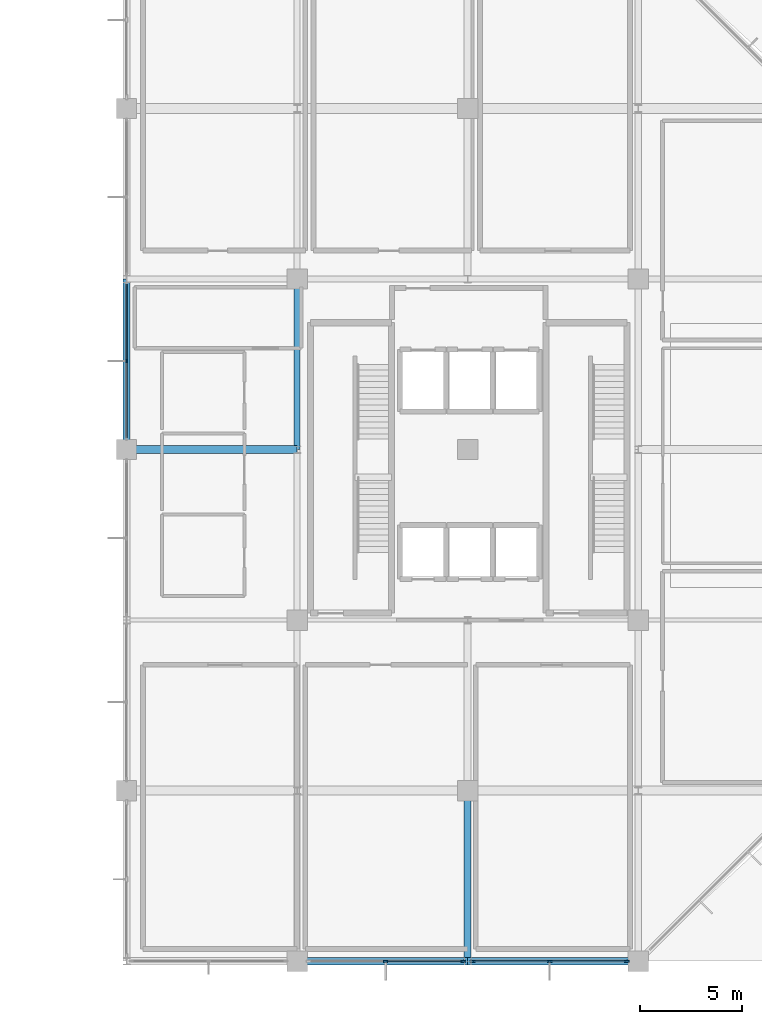
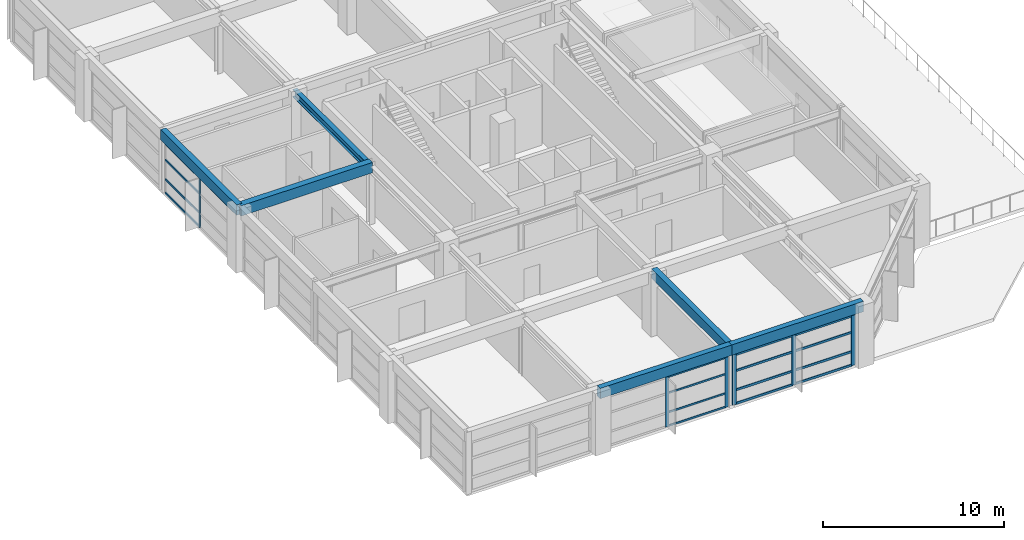
# One storey, part 7 of 21: 23 members, 6 beams, 3 elements without a shape of their own.
"""IFC4 building model written with IfcOpenShell, lengths in metres."""

from ifc_helpers import new_model, si_unit, direction, frame, origin, origin_2d, place, context, subcontext, project, spatial, rectangle, i_section, extrude, material, material_profile, profile_set, type_object, element, aggregate, save


model = new_model("IFC4")

# Units and contexts
model_context = context("Model", 3, precision=1e-05, world=origin(), true_north=direction((0.0, 1.0)))
body_context = subcontext(model_context, "Body", "Model", "MODEL_VIEW")
ifc_project = project(units=[si_unit("LENGTHUNIT", "METRE"), si_unit("AREAUNIT", "SQUARE_METRE"), si_unit("VOLUMEUNIT", "CUBIC_METRE"), si_unit("PLANEANGLEUNIT", "RADIAN"), si_unit("MASSUNIT", "GRAM", prefix="KILO")], contexts=[model_context])

# Site, building, storey
site_placement = place(None, origin())
site = spatial("IfcSite", under=ifc_project, at=site_placement, CompositionType="ELEMENT")
building_placement = place(site_placement, origin())
building = spatial("IfcBuilding", under=site, at=building_placement, Name="Xuanlan Plaza Opera House", CompositionType="ELEMENT")
storey_placement = place(building_placement, frame((0.0, 0.0, 44.699951171875)))
storey = spatial("IfcBuildingStorey", under=building, at=storey_placement, Name="L10", CompositionType="ELEMENT", Elevation=44.699951171875)

# Curtain wall, member
ifc_material_1 = material(Name="Anodised Aluminium 6063-T6 and Low-E Glass", Category="aluminium")
curtain_wall_type_1 = type_object("IfcCurtainWallType", Name="ENV-CW-CW-03", PredefinedType="USERDEFINED", material=ifc_material_1)
curtain_wall_1_placement = place(storey_placement, origin())
curtain_wall_1 = element("IfcCurtainWall", 1, at=curtain_wall_1_placement, inside=storey, type_object=curtain_wall_type_1, Name="Unitised Curtain Wall L10-015", ObjectType="UNITISED CURTAIN WALL", PredefinedType="USERDEFINED")
ifc_material_2 = material(Name="Anodised Aluminium 6063-T6", Category="aluminium")
ifc_material_profile_1 = material_profile(ifc_material_2, rectangle(XDim=0.070068359375, YDim=0.179931640625, at=origin_2d()), Name="ALU-M 70x180")
ifc_profile_set_1 = profile_set([ifc_material_profile_1], Name="Anodised Aluminium 6063-T6")
member_type_1 = type_object("IfcMemberType", Name="ENV-CWM-02", PredefinedType="MULLION", material=ifc_profile_set_1)
member_1_placement = place(storey_placement, frame((126.0, 63.16259765625, 0.0), z_axis=(0.0, 0.0, 1.0), x_axis=(1.0, 0.0, 0.0)))
member_1 = element("IfcMember", 2, at=member_1_placement, type_object=member_type_1, Name="CW-03 mullion 2", PredefinedType="MULLION", context=body_context, shape_type="SweptSolid", body=[
    extrude(rectangle(XDim=0.070068359375, YDim=0.179931640625, at=origin_2d()), origin(), (0.0, 0.0, 1.0), 3.380126953125),
])

# Curtain wall, members
curtain_wall_type_2 = type_object("IfcCurtainWallType", Name="ENV-CW-CW-02", PredefinedType="USERDEFINED", material=ifc_material_1)
curtain_wall_2_placement = place(storey_placement, origin())
curtain_wall_2 = element("IfcCurtainWall", 3, at=curtain_wall_2_placement, inside=storey, type_object=curtain_wall_type_2, Name="Unitised Curtain Wall L10-002", ObjectType="UNITISED CURTAIN WALL", PredefinedType="USERDEFINED")
ifc_material_profile_2 = material_profile(ifc_material_2, rectangle(XDim=0.080078125, YDim=0.219970703125, at=origin_2d()), Name="ALU-M 80x220")
ifc_profile_set_2 = profile_set([ifc_material_profile_2], Name="Anodised Aluminium 6063-T6")
member_type_2 = type_object("IfcMemberType", Name="ENV-CWM-04", PredefinedType="MULLION", material=ifc_profile_set_2)
member_2_placement = place(storey_placement, frame((138.762451171875, 33.60009765625, 0.0), z_axis=(0.0, 0.0, 1.0), x_axis=(0.0, 1.0, 0.0)))
member_2 = element("IfcMember", 4, at=member_2_placement, type_object=member_type_2, Name="CW-02 mullion 2", PredefinedType="MULLION", context=body_context, shape_type="SweptSolid", body=[
    extrude(rectangle(XDim=0.080078125, YDim=0.219970703125, at=origin_2d()), origin(), (0.0, 0.0, 1.0), 3.380126953125),
])
member_3_placement = place(storey_placement, frame((142.56494140625, 33.60009765625, 0.0), z_axis=(0.0, 0.0, 1.0), x_axis=(0.0, 1.0, 0.0)))
member_3 = element("IfcMember", 5, at=member_3_placement, type_object=member_type_2, Name="CW-02 mullion 3", PredefinedType="MULLION", context=body_context, shape_type="SweptSolid", body=[
    extrude(rectangle(XDim=0.080078125, YDim=0.219970703125, at=origin_2d()), origin(), (0.0, 0.0, 1.0), 3.380126953125),
])

curtain_wall_3_placement = place(storey_placement, origin())
curtain_wall_3 = element("IfcCurtainWall", 6, at=curtain_wall_3_placement, inside=storey, type_object=curtain_wall_type_1, Name="Unitised Curtain Wall L10-003", ObjectType="UNITISED CURTAIN WALL", PredefinedType="USERDEFINED")
ifc_material_profile_3 = material_profile(ifc_material_2, rectangle(XDim=0.090087890625, YDim=0.25, at=origin_2d()), Name="ALU-M 90x250")
ifc_profile_set_3 = profile_set([ifc_material_profile_3], Name="Anodised Aluminium 6063-T6")
member_type_3 = type_object("IfcMemberType", Name="ENV-CWM-05", PredefinedType="MULLION", material=ifc_profile_set_3)
member_4_placement = place(storey_placement, frame((143.0400390625, 33.60009765625, 0.0), z_axis=(0.0, 0.0, 1.0), x_axis=(0.0, 1.0, 0.0)))
member_4 = element("IfcMember", 7, at=member_4_placement, type_object=member_type_3, Name="CW-03 mullion 1", PredefinedType="MULLION", context=body_context, shape_type="SweptSolid", body=[
    extrude(rectangle(XDim=0.090087890625, YDim=0.25, at=origin_2d()), origin(), (0.0, 0.0, 1.0), 3.380126953125),
])
member_5_placement = place(storey_placement, frame((146.83740234375, 33.60009765625, 0.0), z_axis=(0.0, 0.0, 1.0), x_axis=(0.0, 1.0, 0.0)))
member_5 = element("IfcMember", 8, at=member_5_placement, type_object=member_type_3, Name="CW-03 mullion 2", PredefinedType="MULLION", context=body_context, shape_type="SweptSolid", body=[
    extrude(rectangle(XDim=0.090087890625, YDim=0.25, at=origin_2d()), origin(), (0.0, 0.0, 1.0), 3.380126953125),
])
member_6_placement = place(storey_placement, frame((150.635009765625, 33.60009765625, 0.0), z_axis=(0.0, 0.0, 1.0), x_axis=(0.0, 1.0, 0.0)))
member_6 = element("IfcMember", 9, at=member_6_placement, type_object=member_type_3, Name="CW-03 mullion 3", PredefinedType="MULLION", context=body_context, shape_type="SweptSolid", body=[
    extrude(rectangle(XDim=0.090087890625, YDim=0.25, at=origin_2d()), origin(), (0.0, 0.0, 1.0), 3.380126953125),
])

# Member
ifc_material_profile_4 = material_profile(ifc_material_2, rectangle(XDim=0.06494140625, YDim=0.1201171875, at=origin_2d()), Name="ALU-T 65x120")
ifc_profile_set_4 = profile_set([ifc_material_profile_4], Name="Anodised Aluminium 6063-T6")
member_type_4 = type_object("IfcMemberType", Name="ENV-CWT-01", PredefinedType="USERDEFINED", material=ifc_profile_set_4)
member_7_placement = place(storey_placement, frame((138.802490234375, 33.60009765625, 0.032470703125), z_axis=(1.0, 0.0, 0.0), x_axis=(0.0, 1.0, 0.0)))
member_7 = element("IfcMember", 10, at=member_7_placement, type_object=member_type_4, Name="CW-02 transom 2.1", ObjectType="TRANSOM", PredefinedType="USERDEFINED", context=body_context, shape_type="SweptSolid", body=[
    extrude(rectangle(XDim=0.06494140625, YDim=0.1201171875, at=origin_2d()), origin(), (0.0, 0.0, 1.0), 3.722412109375),
])

member_8_placement = place(storey_placement, frame((138.802490234375, 33.60009765625, 0.949951171875), z_axis=(1.0, 0.0, 0.0), x_axis=(0.0, 1.0, 0.0)))
member_8 = element("IfcMember", 11, at=member_8_placement, type_object=member_type_4, Name="CW-02 transom 2.2", ObjectType="TRANSOM", PredefinedType="USERDEFINED", context=body_context, shape_type="SweptSolid", body=[
    extrude(rectangle(XDim=0.06494140625, YDim=0.1201171875, at=origin_2d()), origin(), (0.0, 0.0, 1.0), 3.722412109375),
])

member_9_placement = place(storey_placement, frame((138.802490234375, 33.60009765625, 2.25), z_axis=(1.0, 0.0, 0.0), x_axis=(0.0, 1.0, 0.0)))
member_9 = element("IfcMember", 12, at=member_9_placement, type_object=member_type_4, Name="CW-02 transom 2.3", ObjectType="TRANSOM", PredefinedType="USERDEFINED", context=body_context, shape_type="SweptSolid", body=[
    extrude(rectangle(XDim=0.06494140625, YDim=0.1201171875, at=origin_2d()), origin(), (0.0, 0.0, 1.0), 3.722412109375),
])

member_10_placement = place(storey_placement, frame((138.802490234375, 33.60009765625, 3.34765625), z_axis=(1.0, 0.0, 0.0), x_axis=(0.0, 1.0, 0.0)))
member_10 = element("IfcMember", 13, at=member_10_placement, type_object=member_type_4, Name="CW-02 transom 2.4", ObjectType="TRANSOM", PredefinedType="USERDEFINED", context=body_context, shape_type="SweptSolid", body=[
    extrude(rectangle(XDim=0.06494140625, YDim=0.1201171875, at=origin_2d()), origin(), (0.0, 0.0, 1.0), 3.722412109375),
])

aggregate(curtain_wall_2, [member_2, member_3, member_7, member_8, member_9, member_10])

ifc_material_profile_5 = material_profile(ifc_material_2, rectangle(XDim=0.070068359375, YDim=0.135009765625, at=origin_2d()), Name="ALU-T 70x135")
ifc_profile_set_5 = profile_set([ifc_material_profile_5], Name="Anodised Aluminium 6063-T6")
member_type_5 = type_object("IfcMemberType", Name="ENV-CWT-02", PredefinedType="USERDEFINED", material=ifc_profile_set_5)
member_11_placement = place(storey_placement, frame((126.0, 66.93505859375, 0.03515625), z_axis=(0.0, -1.0, 0.0), x_axis=(1.0, 0.0, 0.0)))
member_11 = element("IfcMember", 14, at=member_11_placement, type_object=member_type_5, Name="CW-03 transom 1.1", ObjectType="TRANSOM", PredefinedType="USERDEFINED", context=body_context, shape_type="SweptSolid", body=[
    extrude(rectangle(XDim=0.070068359375, YDim=0.135009765625, at=origin_2d()), origin(), (0.0, 0.0, 1.0), 3.737548828125),
])

member_12_placement = place(storey_placement, frame((126.0, 66.93505859375, 0.949951171875), z_axis=(0.0, -1.0, 0.0), x_axis=(1.0, 0.0, 0.0)))
member_12 = element("IfcMember", 15, at=member_12_placement, type_object=member_type_5, Name="CW-03 transom 1.2", ObjectType="TRANSOM", PredefinedType="USERDEFINED", context=body_context, shape_type="SweptSolid", body=[
    extrude(rectangle(XDim=0.070068359375, YDim=0.135009765625, at=origin_2d()), origin(), (0.0, 0.0, 1.0), 3.737548828125),
])

member_13_placement = place(storey_placement, frame((126.0, 66.93505859375, 2.25), z_axis=(0.0, -1.0, 0.0), x_axis=(1.0, 0.0, 0.0)))
member_13 = element("IfcMember", 16, at=member_13_placement, type_object=member_type_5, Name="CW-03 transom 1.3", ObjectType="TRANSOM", PredefinedType="USERDEFINED", context=body_context, shape_type="SweptSolid", body=[
    extrude(rectangle(XDim=0.070068359375, YDim=0.135009765625, at=origin_2d()), origin(), (0.0, 0.0, 1.0), 3.737548828125),
])

member_14_placement = place(storey_placement, frame((126.0, 66.93505859375, 3.344970703125), z_axis=(0.0, -1.0, 0.0), x_axis=(1.0, 0.0, 0.0)))
member_14 = element("IfcMember", 17, at=member_14_placement, type_object=member_type_5, Name="CW-03 transom 1.4", ObjectType="TRANSOM", PredefinedType="USERDEFINED", context=body_context, shape_type="SweptSolid", body=[
    extrude(rectangle(XDim=0.070068359375, YDim=0.135009765625, at=origin_2d()), origin(), (0.0, 0.0, 1.0), 3.737548828125),
])

member_15_placement = place(storey_placement, frame((126.0, 63.12744140625, 3.344970703125), z_axis=(0.0, -1.0, 0.0), x_axis=(1.0, 0.0, 0.0)))
member_15 = element("IfcMember", 18, at=member_15_placement, type_object=member_type_5, Name="CW-03 transom 2.4", ObjectType="TRANSOM", PredefinedType="USERDEFINED", context=body_context, shape_type="SweptSolid", body=[
    extrude(rectangle(XDim=0.070068359375, YDim=0.135009765625, at=origin_2d()), origin(), (0.0, 0.0, 1.0), 3.737548828125),
])

aggregate(curtain_wall_1, [member_1, member_11, member_12, member_13, member_14, member_15])

ifc_material_profile_6 = material_profile(ifc_material_2, rectangle(XDim=0.074951171875, YDim=0.14990234375, at=origin_2d()), Name="ALU-T 75x150")
ifc_profile_set_6 = profile_set([ifc_material_profile_6], Name="Anodised Aluminium 6063-T6")
member_type_6 = type_object("IfcMemberType", Name="ENV-CWT-03", PredefinedType="USERDEFINED", material=ifc_profile_set_6)
member_16_placement = place(storey_placement, frame((143.0849609375, 33.60009765625, 0.03759765625), z_axis=(1.0, 0.0, 0.0), x_axis=(0.0, 1.0, 0.0)))
member_16 = element("IfcMember", 19, at=member_16_placement, type_object=member_type_6, Name="CW-03 transom 1.1", ObjectType="TRANSOM", PredefinedType="USERDEFINED", context=body_context, shape_type="SweptSolid", body=[
    extrude(rectangle(XDim=0.074951171875, YDim=0.14990234375, at=origin_2d()), origin(), (0.0, 0.0, 1.0), 3.70751953125),
])

member_17_placement = place(storey_placement, frame((143.0849609375, 33.60009765625, 0.949951171875), z_axis=(1.0, 0.0, 0.0), x_axis=(0.0, 1.0, 0.0)))
member_17 = element("IfcMember", 20, at=member_17_placement, type_object=member_type_6, Name="CW-03 transom 1.2", ObjectType="TRANSOM", PredefinedType="USERDEFINED", context=body_context, shape_type="SweptSolid", body=[
    extrude(rectangle(XDim=0.074951171875, YDim=0.14990234375, at=origin_2d()), origin(), (0.0, 0.0, 1.0), 3.70751953125),
])

member_18_placement = place(storey_placement, frame((143.0849609375, 33.60009765625, 2.25), z_axis=(1.0, 0.0, 0.0), x_axis=(0.0, 1.0, 0.0)))
member_18 = element("IfcMember", 21, at=member_18_placement, type_object=member_type_6, Name="CW-03 transom 1.3", ObjectType="TRANSOM", PredefinedType="USERDEFINED", context=body_context, shape_type="SweptSolid", body=[
    extrude(rectangle(XDim=0.074951171875, YDim=0.14990234375, at=origin_2d()), origin(), (0.0, 0.0, 1.0), 3.70751953125),
])

member_19_placement = place(storey_placement, frame((143.0849609375, 33.60009765625, 3.342529296875), z_axis=(1.0, 0.0, 0.0), x_axis=(0.0, 1.0, 0.0)))
member_19 = element("IfcMember", 22, at=member_19_placement, type_object=member_type_6, Name="CW-03 transom 1.4", ObjectType="TRANSOM", PredefinedType="USERDEFINED", context=body_context, shape_type="SweptSolid", body=[
    extrude(rectangle(XDim=0.074951171875, YDim=0.14990234375, at=origin_2d()), origin(), (0.0, 0.0, 1.0), 3.70751953125),
])

member_20_placement = place(storey_placement, frame((146.882568359375, 33.60009765625, 0.03759765625), z_axis=(1.0, 0.0, 0.0), x_axis=(0.0, 1.0, 0.0)))
member_20 = element("IfcMember", 23, at=member_20_placement, type_object=member_type_6, Name="CW-03 transom 2.1", ObjectType="TRANSOM", PredefinedType="USERDEFINED", context=body_context, shape_type="SweptSolid", body=[
    extrude(rectangle(XDim=0.074951171875, YDim=0.14990234375, at=origin_2d()), origin(), (0.0, 0.0, 1.0), 3.70751953125),
])

member_21_placement = place(storey_placement, frame((146.882568359375, 33.60009765625, 0.949951171875), z_axis=(1.0, 0.0, 0.0), x_axis=(0.0, 1.0, 0.0)))
member_21 = element("IfcMember", 24, at=member_21_placement, type_object=member_type_6, Name="CW-03 transom 2.2", ObjectType="TRANSOM", PredefinedType="USERDEFINED", context=body_context, shape_type="SweptSolid", body=[
    extrude(rectangle(XDim=0.074951171875, YDim=0.14990234375, at=origin_2d()), origin(), (0.0, 0.0, 1.0), 3.70751953125),
])

member_22_placement = place(storey_placement, frame((146.882568359375, 33.60009765625, 2.25), z_axis=(1.0, 0.0, 0.0), x_axis=(0.0, 1.0, 0.0)))
member_22 = element("IfcMember", 25, at=member_22_placement, type_object=member_type_6, Name="CW-03 transom 2.3", ObjectType="TRANSOM", PredefinedType="USERDEFINED", context=body_context, shape_type="SweptSolid", body=[
    extrude(rectangle(XDim=0.074951171875, YDim=0.14990234375, at=origin_2d()), origin(), (0.0, 0.0, 1.0), 3.70751953125),
])

member_23_placement = place(storey_placement, frame((146.882568359375, 33.60009765625, 3.342529296875), z_axis=(1.0, 0.0, 0.0), x_axis=(0.0, 1.0, 0.0)))
member_23 = element("IfcMember", 26, at=member_23_placement, type_object=member_type_6, Name="CW-03 transom 2.4", ObjectType="TRANSOM", PredefinedType="USERDEFINED", context=body_context, shape_type="SweptSolid", body=[
    extrude(rectangle(XDim=0.074951171875, YDim=0.14990234375, at=origin_2d()), origin(), (0.0, 0.0, 1.0), 3.70751953125),
])

aggregate(curtain_wall_3, [member_4, member_5, member_6, member_16, member_17, member_18, member_19, member_20, member_21, member_22, member_23])

# Beams
ifc_material_3 = material(Name="Concrete C40", Category="concrete")
ifc_material_profile_7 = material_profile(ifc_material_3, rectangle(XDim=0.39990234375, YDim=0.699951171875, at=origin_2d()), Name="RC-BM 400x700")
ifc_profile_set_7 = profile_set([ifc_material_profile_7], Name="Concrete C40")
beam_type_1 = type_object("IfcBeamType", Name="STR-BM-B-07", PredefinedType="BEAM", material=ifc_profile_set_7)
beam_1_placement = place(storey_placement, frame((126.0, 58.800048828125, 3.85009765625), z_axis=(1.0, 0.0, 0.0), x_axis=(0.0, 1.0, 0.0)))
element("IfcBeam", 27, at=beam_1_placement, inside=storey, type_object=beam_type_1, Name="Grid Beam X L10 16-17/H", PredefinedType="BEAM", context=body_context, shape_type="SweptSolid", body=[
    extrude(rectangle(XDim=0.39990234375, YDim=0.699951171875, at=origin_2d()), origin(), (0.0, 0.0, 1.0), 8.39990234375),
])
ifc_material_profile_8 = material_profile(ifc_material_3, rectangle(XDim=0.35009765625, YDim=0.64990234375, at=origin_2d()), Name="RC-BM 350x650")
ifc_profile_set_8 = profile_set([ifc_material_profile_8], Name="Concrete C40")
beam_type_2 = type_object("IfcBeamType", Name="STR-BM-B-08", PredefinedType="BEAM", material=ifc_profile_set_8)
beam_2_placement = place(storey_placement, frame((142.800048828125, 33.60009765625, 3.875), z_axis=(0.0, 1.0, 0.0), x_axis=(-1.0, 0.0, 0.0)))
element("IfcBeam", 28, at=beam_2_placement, inside=storey, type_object=beam_type_2, Name="Grid Beam Y L10 18/E-F", PredefinedType="BEAM", context=body_context, shape_type="SweptSolid", body=[
    extrude(rectangle(XDim=0.35009765625, YDim=0.64990234375, at=origin_2d()), origin(), (0.0, 0.0, 1.0), 8.39990234375),
])
ifc_material_4 = material(Name="Steel Q355B", Category="steel")
ifc_material_profile_9 = material_profile(ifc_material_4, i_section(OverallWidth=0.300048828125, OverallDepth=0.488037109375, WebThickness=0.010986328125, FlangeThickness=0.01806640625, FilletRadius=0.02197265625, at=origin_2d()), Name="HM 488x300x11x18")
ifc_profile_set_9 = profile_set([ifc_material_profile_9], Name="Steel Q355B")
beam_type_3 = type_object("IfcBeamType", Name="STR-BM-SB-07", PredefinedType="BEAM", material=ifc_profile_set_9)
beam_3_placement = place(storey_placement, frame((134.39990234375, 58.800048828125, 3.7109375), z_axis=(0.0, 1.0, 0.0), x_axis=(-1.0, 0.0, 0.0)))
element("IfcBeam", 29, at=beam_3_placement, inside=storey, type_object=beam_type_3, Name="Grid Beam Y L10 17/H-I", PredefinedType="BEAM", context=body_context, shape_type="SweptSolid", body=[
    extrude(i_section(OverallWidth=0.300048828125, OverallDepth=0.488037109375, WebThickness=0.010986328125, FlangeThickness=0.01806640625, FilletRadius=0.02197265625, at=origin_2d()), origin(), (0.0, 0.0, 1.0), 8.39990234375),
])
ifc_material_profile_10 = material_profile(ifc_material_3, rectangle(XDim=0.35009765625, YDim=0.699951171875, at=origin_2d()), Name="RC-SPD 350x700")
ifc_profile_set_10 = profile_set([ifc_material_profile_10], Name="Concrete C40")
beam_type_4 = type_object("IfcBeamType", Name="STR-BM-SP-02", PredefinedType="SPANDREL", material=ifc_profile_set_10)
beam_4_placement = place(storey_placement, frame((134.39990234375, 33.60009765625, 3.85009765625), z_axis=(1.0, 0.0, 0.0), x_axis=(0.0, 1.0, 0.0)))
element("IfcBeam", 30, at=beam_4_placement, inside=storey, type_object=beam_type_4, Name="Grid Beam X L10 17-18/E", PredefinedType="SPANDREL", context=body_context, shape_type="SweptSolid", body=[
    extrude(rectangle(XDim=0.35009765625, YDim=0.699951171875, at=origin_2d()), origin(), (0.0, 0.0, 1.0), 8.400146484375),
])
for number, where, z_axis, x_axis, name in (
    (31, (142.800048828125, 33.60009765625, 3.85009765625), (1.0, 0.0, 0.0), (0.0, 1.0, 0.0), "Grid Beam X L10 18-19/E"),
    (32, (126.0, 58.800048828125, 3.85009765625), (0.0, 1.0, 0.0), (-1.0, 0.0, 0.0), "Grid Beam Y L10 16/H-I"),
):
    element("IfcBeam", number, at=place(storey_placement, frame(where, z_axis=z_axis, x_axis=x_axis)), inside=storey, type_object=beam_type_4, Name=name, PredefinedType="SPANDREL", context=body_context, shape_type="SweptSolid", body=[
        extrude(rectangle(XDim=0.35009765625, YDim=0.699951171875, at=origin_2d()), origin(), (0.0, 0.0, 1.0), 8.39990234375),
    ])

save(model, "model.ifc")
